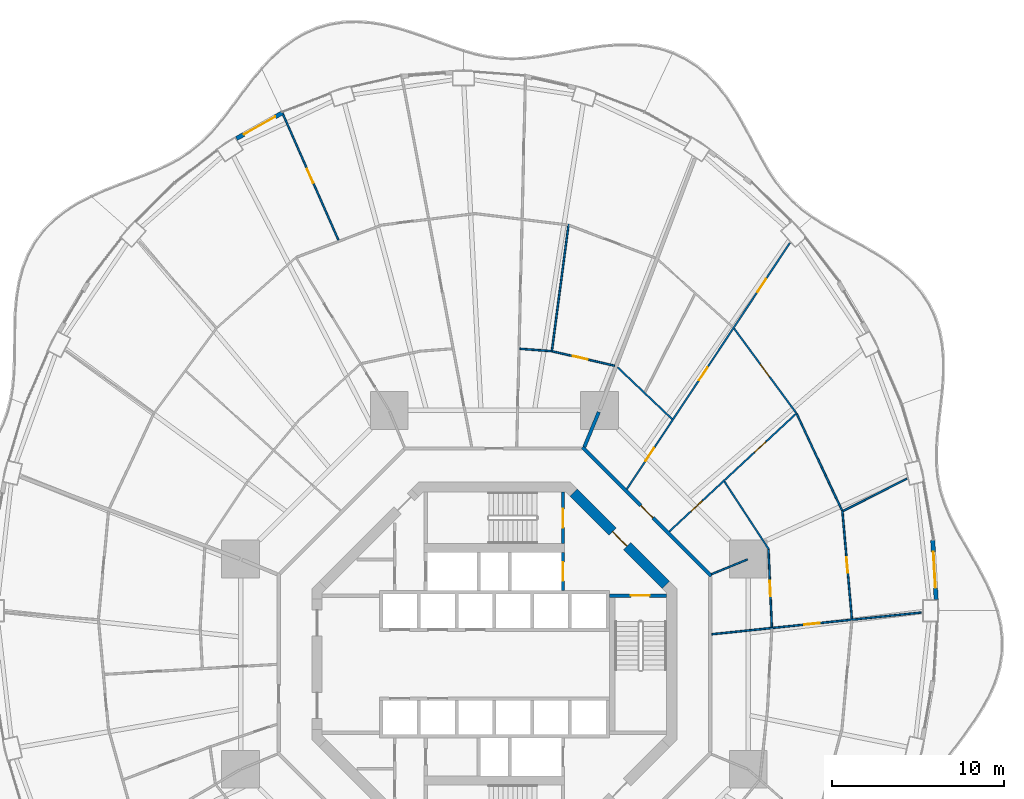
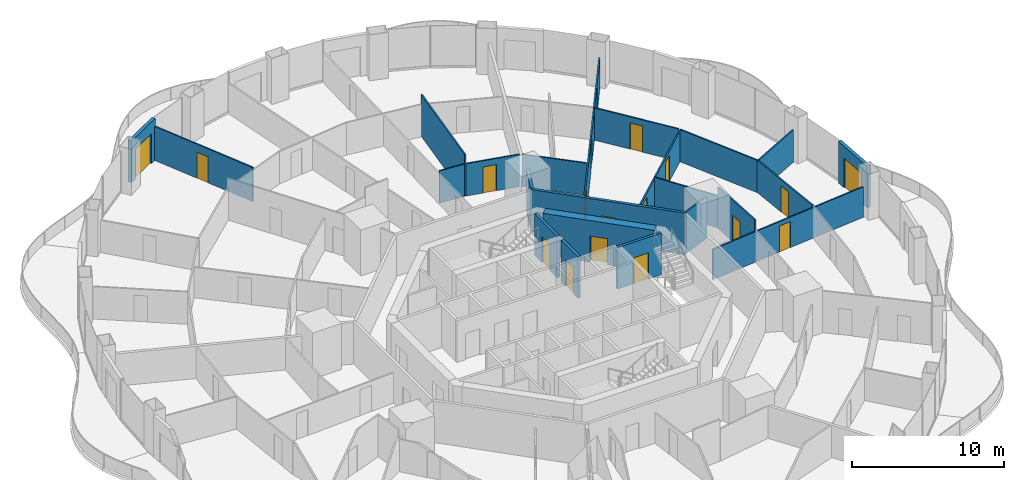
# One storey, part 19 of 23: 23 walls, 18 doors, 18 openings.
"""IFC4 building model written with IfcOpenShell, lengths in metres."""

from ifc_helpers import new_model, si_unit, direction, frame, frame_2d, origin, place, context, subcontext, project, spatial, rectangle, extrude, material, layer, layer_set, type_object, element, fill, save


model = new_model("IFC4")

# Units and contexts
model_context = context("Model", 3, precision=1e-05, world=origin(), true_north=direction((0.0, 1.0)))
body_context = subcontext(model_context, "Body", "Model", "MODEL_VIEW")
ifc_project = project(units=[si_unit("LENGTHUNIT", "METRE"), si_unit("AREAUNIT", "SQUARE_METRE"), si_unit("VOLUMEUNIT", "CUBIC_METRE"), si_unit("PLANEANGLEUNIT", "RADIAN"), si_unit("MASSUNIT", "GRAM", prefix="KILO")], contexts=[model_context])

# Site, building, storey
site_placement = place(None, origin())
site = spatial("IfcSite", under=ifc_project, at=site_placement, CompositionType="ELEMENT")
building_placement = place(site_placement, origin())
building = spatial("IfcBuilding", under=site, at=building_placement, Name="Nagisa Residences", CompositionType="ELEMENT")
storey_placement = place(building_placement, frame((0.0, 0.0, 110.300048828125)))
storey = spatial("IfcBuildingStorey", under=building, at=storey_placement, Name="L27", CompositionType="ELEMENT", Elevation=110.300048828125)

# Wall
ifc_material_1 = material(Name="Gypsum board on steel studs", Category="steel")
ifc_layer_1 = layer(ifc_material_1, 0.199951171875)
ifc_layer_set_1 = layer_set([ifc_layer_1], Name="Apartment compartment wall EI60 200")
wall_type_1 = type_object("IfcWallType", Name="Apartment compartment wall EI60 200", PredefinedType="PARTITIONING", material=ifc_layer_set_1)
wall_1_placement = place(storey_placement, frame((5.24267578125, 12.6572265625, 0.0), z_axis=(0.0, 0.0, 1.0), x_axis=(0.382724096228, 0.923862687939, 0.0)))
element("IfcWall", 1, at=wall_1_placement, inside=storey, type_object=wall_type_1, Name="wall:L27:u00", PredefinedType="PARTITIONING", context=body_context, shape_type="SweptSolid", body=[
    extrude(rectangle(XDim=2.20068359375, YDim=0.199951171875, at=frame_2d((1.100341796875, 0.0))), origin(), (0.0, 0.0, 1.0), 3.349853515625),
])

# Wall, opening, door
ifc_material_2 = material(Name="Gypsum board on steel studs", Category="steel")
ifc_layer_2 = layer(ifc_material_2, 0.199951171875)
ifc_layer_set_2 = layer_set([ifc_layer_2], Name="Apartment entry wall EI60 200")
wall_type_2 = type_object("IfcWallType", Name="Apartment entry wall EI60 200", PredefinedType="PARTITIONING", material=ifc_layer_set_2)
wall_2_placement = place(storey_placement, frame((12.635498046875, 5.1337890625, 0.0), z_axis=(0.0, 0.0, 1.0), x_axis=(-0.707106781187, 0.707106781187, 0.0)))
wall_2 = element("IfcWall", 2, at=wall_2_placement, inside=storey, type_object=wall_type_2, Name="wall:L27:u09", PredefinedType="PARTITIONING", context=body_context, shape_type="SweptSolid", body=[
    extrude(rectangle(XDim=10.609130859375, YDim=0.199951171875, at=frame_2d((5.3046875, 0.0))), origin(), (0.0, 0.0, 1.0), 3.349853515625),
])
opening_1_placement = place(wall_2_placement, frame((4.804443359375, 0.0, 0.0)))
opening_1 = element("IfcOpeningElement", 3, at=opening_1_placement, cuts=wall_2, Name="Opening L27-U08", PredefinedType="OPENING", context=body_context, shape_type="SweptSolid", body=[
    extrude(rectangle(XDim=1.0, YDim=2.10009765625, at=frame_2d((0.5, 1.050048828125))), frame((0.0, 0.10986328125, 0.0), z_axis=(0.0, -1.0, 0.0), x_axis=(1.0, 0.0, 0.0)), (0.0, 0.0, 1.0), 0.219970703125),
])
ifc_material_3 = material(Name="Timber fire door set", Category="wood")
door_type_1 = type_object("IfcDoorType", Name="Apartment entry door FD30S 1000x2100", OperationType="NOTDEFINED", PredefinedType="DOOR", material=ifc_material_3)
door_1_placement = place(opening_1_placement, frame((1.0, 0.0, 0.0), x_axis=(-1.0, 0.0, 0.0)))
door_1 = element("IfcDoor", 4, at=door_1_placement, inside=storey, type_object=door_type_1, Name="Entry door, Apartment 27B", OperationType="SINGLE_SWING_LEFT", OverallHeight=2.10009765625, OverallWidth=1.0, PredefinedType="DOOR", context=body_context, shape_type="SweptSolid", body=[
    extrude(rectangle(XDim=1.0, YDim=2.10009765625, at=frame_2d((0.5, 1.050048828125))), frame((0.0, 0.02490234375, 0.0), z_axis=(0.0, -1.0, 0.0), x_axis=(1.0, 0.0, 0.0)), (0.0, 0.0, 1.0), 0.050048828125),
])
fill(opening_1, door_1)

ifc_material_4 = material(Name="Gypsum board on steel studs", Category="steel")
ifc_layer_3 = layer(ifc_material_4, 0.10009765625)
ifc_layer_set_3 = layer_set([ifc_layer_3], Name="Apartment partition 100")
wall_type_3 = type_object("IfcWallType", Name="Apartment partition 100", PredefinedType="PARTITIONING", material=ifc_layer_set_3)
wall_3_placement = place(storey_placement, frame((12.664306640625, 1.7451171875, 0.0), z_axis=(0.0, 0.0, 1.0), x_axis=(0.994662790212, 0.103179134358, 0.0)))
wall_3 = element("IfcWall", 5, at=wall_3_placement, inside=storey, type_object=wall_type_3, Name="wall:L27:u16", PredefinedType="PARTITIONING", context=body_context, shape_type="SweptSolid", body=[
    extrude(rectangle(XDim=12.2568359375, YDim=0.10009765625, at=frame_2d((6.12841796875, 0.0))), origin(), (0.0, 0.0, 1.0), 2.447021484375),
])
opening_2_placement = place(wall_3_placement, frame((5.413818359375, 0.0, 0.0)))
opening_2 = element("IfcOpeningElement", 6, at=opening_2_placement, cuts=wall_3, Name="Opening L27-U17", PredefinedType="OPENING", context=body_context, shape_type="SweptSolid", body=[
    extrude(rectangle(XDim=0.89990234375, YDim=2.10009765625, at=frame_2d((0.449951171875, 1.050048828125))), frame((0.0, 0.06005859375, 0.0), z_axis=(0.0, -1.0, 0.0), x_axis=(1.0, 0.0, 0.0)), (0.0, 0.0, 1.0), 0.1201171875),
])
ifc_material_5 = material(Name="Timber door set", Category="wood")
door_type_2 = type_object("IfcDoorType", Name="Apartment door 900x2100", OperationType="NOTDEFINED", PredefinedType="DOOR", material=ifc_material_5)
door_2_placement = place(opening_2_placement, frame((0.89990234375, 0.0, 0.0), x_axis=(-1.0, 0.0, 0.0)))
door_2 = element("IfcDoor", 7, at=door_2_placement, inside=storey, type_object=door_type_2, Name="Door to family room, Apartment 27B", OperationType="SINGLE_SWING_RIGHT", OverallHeight=2.10009765625, OverallWidth=0.89990234375, PredefinedType="DOOR", context=body_context, shape_type="SweptSolid", body=[
    extrude(rectangle(XDim=0.89990234375, YDim=2.10009765625, at=frame_2d((0.449951171875, 1.050048828125))), frame((0.0, 0.02490234375, 0.0), z_axis=(0.0, -1.0, 0.0), x_axis=(1.0, 0.0, 0.0)), (0.0, 0.0, 1.0), 0.050048828125),
])
fill(opening_2, door_2)

wall_4_placement = place(storey_placement, frame((16.161865234375, 2.158203125, 0.0), z_axis=(0.0, 0.0, 1.0), x_axis=(-0.043120653248, 0.999069872063, 0.0)))
wall_4 = element("IfcWall", 8, at=wall_4_placement, inside=storey, type_object=wall_type_3, Name="wall:L27:u17", PredefinedType="PARTITIONING", context=body_context, shape_type="SweptSolid", body=[
    extrude(rectangle(XDim=4.51806640625, YDim=0.10009765625, at=frame_2d((2.259033203125, 0.0))), origin(), (0.0, 0.0, 1.0), 3.349853515625),
])
opening_3_placement = place(wall_4_placement, frame((1.80908203125, 0.0, 0.0)))
opening_3 = element("IfcOpeningElement", 9, at=opening_3_placement, cuts=wall_4, Name="Opening L27-U16", PredefinedType="OPENING", context=body_context, shape_type="SweptSolid", body=[
    extrude(rectangle(XDim=0.89990234375, YDim=2.10009765625, at=frame_2d((0.449951171875, 1.050048828125))), frame((0.0, 0.06005859375, 0.0), z_axis=(0.0, -1.0, 0.0), x_axis=(1.0, 0.0, 0.0)), (0.0, 0.0, 1.0), 0.1201171875),
])
door_3_placement = place(opening_3_placement, origin())
door_3 = element("IfcDoor", 10, at=door_3_placement, inside=storey, type_object=door_type_2, Name="Door to store, Apartment 27B", OperationType="SINGLE_SWING_RIGHT", OverallHeight=2.10009765625, OverallWidth=0.89990234375, PredefinedType="DOOR", context=body_context, shape_type="SweptSolid", body=[
    extrude(rectangle(XDim=0.89990234375, YDim=2.10009765625, at=frame_2d((0.449951171875, 1.050048828125))), frame((0.0, 0.02490234375, 0.0), z_axis=(0.0, -1.0, 0.0), x_axis=(1.0, 0.0, 0.0)), (0.0, 0.0, 1.0), 0.050048828125),
])
fill(opening_3, door_3)

wall_5_placement = place(storey_placement, frame((20.8251953125, 2.64208984375, 0.0), z_axis=(0.0, 0.0, 1.0), x_axis=(-0.08776338161, 0.996141349834, 0.0)))
wall_5 = element("IfcWall", 11, at=wall_5_placement, inside=storey, type_object=wall_type_3, Name="wall:L27:u19", PredefinedType="PARTITIONING", context=body_context, shape_type="SweptSolid", body=[
    extrude(rectangle(XDim=6.3369140625, YDim=0.10009765625, at=frame_2d((3.16845703125, 0.0))), origin(), (0.0, 0.0, 1.0), 2.596923828125),
])
opening_4_placement = place(wall_5_placement, frame((2.693603515625, 0.0, 0.0)))
opening_4 = element("IfcOpeningElement", 12, at=opening_4_placement, cuts=wall_5, Name="Opening L27-U13", PredefinedType="OPENING", context=body_context, shape_type="SweptSolid", body=[
    extrude(rectangle(XDim=0.89990234375, YDim=2.10009765625, at=frame_2d((0.449951171875, 1.050048828125))), frame((0.0, 0.06005859375, 0.0), z_axis=(0.0, -1.0, 0.0), x_axis=(1.0, 0.0, 0.0)), (0.0, 0.0, 1.0), 0.1201171875),
])
door_4_placement = place(opening_4_placement, frame((0.89990234375, 0.0, 0.0), x_axis=(-1.0, 0.0, 0.0)))
door_4 = element("IfcDoor", 13, at=door_4_placement, inside=storey, type_object=door_type_2, Name="Door to bedroom, Apartment 27B", OperationType="SINGLE_SWING_RIGHT", OverallHeight=2.10009765625, OverallWidth=0.89990234375, PredefinedType="DOOR", context=body_context, shape_type="SweptSolid", body=[
    extrude(rectangle(XDim=0.89990234375, YDim=2.10009765625, at=frame_2d((0.449951171875, 1.050048828125))), frame((0.0, 0.02490234375, 0.0), z_axis=(0.0, -1.0, 0.0), x_axis=(1.0, 0.0, 0.0)), (0.0, 0.0, 1.0), 0.050048828125),
])
fill(opening_4, door_4)

# Walls
wall_6_placement = place(storey_placement, frame((12.6572265625, 5.24267578125, 0.0), z_axis=(0.0, 0.0, 1.0), x_axis=(0.923864733477, 0.382719158442, 0.0)))
element("IfcWall", 14, at=wall_6_placement, inside=storey, type_object=wall_type_3, Name="wall:L27:u21", PredefinedType="PARTITIONING", context=body_context, shape_type="SweptSolid", body=[
    extrude(rectangle(XDim=2.25, YDim=0.10009765625, at=frame_2d((1.125, 0.0))), origin(), (0.0, 0.0, 1.0), 3.349853515625),
])
wall_7_placement = place(storey_placement, frame((15.9921875, 6.68017578125, 0.0), z_axis=(0.0, 0.0, 1.0), x_axis=(-0.547472878942, 0.836823426311, 0.0)))
element("IfcWall", 15, at=wall_7_placement, inside=storey, type_object=wall_type_3, Name="wall:L27:u22", PredefinedType="PARTITIONING", context=body_context, shape_type="SweptSolid", body=[
    extrude(rectangle(XDim=4.73779296875, YDim=0.10009765625, at=frame_2d((2.368896484375, 0.0))), origin(), (0.0, 0.0, 1.0), 2.596923828125),
])
wall_8_placement = place(storey_placement, frame((20.318115234375, 8.92724609375, 0.0), z_axis=(0.0, 0.0, 1.0), x_axis=(0.892057836959, 0.451921249246, 0.0)))
element("IfcWall", 16, at=wall_8_placement, inside=storey, type_object=wall_type_3, Name="wall:L27:u23", PredefinedType="PARTITIONING", context=body_context, shape_type="SweptSolid", body=[
    extrude(rectangle(XDim=4.1640625, YDim=0.10009765625, at=frame_2d((2.08203125, 0.0))), origin(), (0.0, 0.0, 1.0), 2.596923828125),
])
wall_9_placement = place(storey_placement, frame((20.252197265625, 8.949951171875, 0.0), z_axis=(0.0, 0.0, 1.0), x_axis=(-0.424580052627, 0.90539040138, 0.0)))
element("IfcWall", 17, at=wall_9_placement, inside=storey, type_object=wall_type_3, Name="wall:L27:u24", PredefinedType="PARTITIONING", context=body_context, shape_type="SweptSolid", body=[
    extrude(rectangle(XDim=6.204345703125, YDim=0.10009765625, at=frame_2d((3.10205078125, 0.0))), origin(), (0.0, 0.0, 1.0), 2.596923828125),
])

# Wall, openings, doors
wall_10_placement = place(storey_placement, frame((10.1845703125, 7.72607421875, 0.0), z_axis=(0.0, 0.0, 1.0), x_axis=(0.732598472978, 0.680661059112, 0.0)))
wall_10 = element("IfcWall", 18, at=wall_10_placement, inside=storey, type_object=wall_type_3, Name="wall:L27:u25", PredefinedType="PARTITIONING", context=body_context, shape_type="SweptSolid", body=[
    extrude(rectangle(XDim=10.16748046875, YDim=0.10009765625, at=frame_2d((5.083740234375, 0.0))), origin(), (0.0, 0.0, 1.0), 2.447021484375),
])
opening_5_placement = place(wall_10_placement, frame((1.724853515625, 0.0, 0.0)))
opening_5 = element("IfcOpeningElement", 19, at=opening_5_placement, cuts=wall_10, Name="Opening L27-U09", PredefinedType="OPENING", context=body_context, shape_type="SweptSolid", body=[
    extrude(rectangle(XDim=0.89990234375, YDim=2.10009765625, at=frame_2d((0.449951171875, 1.050048828125))), frame((0.0, 0.06005859375, 0.0), z_axis=(0.0, -1.0, 0.0), x_axis=(1.0, 0.0, 0.0)), (0.0, 0.0, 1.0), 0.1201171875),
])
opening_6_placement = place(wall_10_placement, frame((6.78369140625, 0.0, 0.0)))
opening_6 = element("IfcOpeningElement", 20, at=opening_6_placement, cuts=wall_10, Name="Opening L27-U11", PredefinedType="OPENING", context=body_context, shape_type="SweptSolid", body=[
    extrude(rectangle(XDim=0.89990234375, YDim=2.10009765625, at=frame_2d((0.449951171875, 1.050048828125))), frame((0.0, 0.06005859375, 0.0), z_axis=(0.0, -1.0, 0.0), x_axis=(1.0, 0.0, 0.0)), (0.0, 0.0, 1.0), 0.1201171875),
])
door_5_placement = place(opening_5_placement, frame((0.89990234375, 0.0, 0.0), x_axis=(-1.0, 0.0, 0.0)))
door_5 = element("IfcDoor", 21, at=door_5_placement, inside=storey, type_object=door_type_2, Name="Door to store, Apartment 27B", OperationType="SINGLE_SWING_RIGHT", OverallHeight=2.10009765625, OverallWidth=0.89990234375, PredefinedType="DOOR", context=body_context, shape_type="SweptSolid", body=[
    extrude(rectangle(XDim=0.89990234375, YDim=2.10009765625, at=frame_2d((0.449951171875, 1.050048828125))), frame((0.0, 0.02490234375, 0.0), z_axis=(0.0, -1.0, 0.0), x_axis=(1.0, 0.0, 0.0)), (0.0, 0.0, 1.0), 0.050048828125),
])
fill(opening_5, door_5)
door_6_placement = place(opening_6_placement, frame((0.89990234375, 0.0, 0.0), x_axis=(-1.0, 0.0, 0.0)))
door_6 = element("IfcDoor", 22, at=door_6_placement, inside=storey, type_object=door_type_2, Name="Door to dining room, Apartment 27B", OperationType="SINGLE_SWING_RIGHT", OverallHeight=2.10009765625, OverallWidth=0.89990234375, PredefinedType="DOOR", context=body_context, shape_type="SweptSolid", body=[
    extrude(rectangle(XDim=0.89990234375, YDim=2.10009765625, at=frame_2d((0.449951171875, 1.050048828125))), frame((0.0, 0.02490234375, 0.0), z_axis=(0.0, -1.0, 0.0), x_axis=(1.0, 0.0, 0.0)), (0.0, 0.0, 1.0), 0.050048828125),
])
fill(opening_6, door_6)

# Wall, opening, door
wall_11_placement = place(storey_placement, frame((17.567138671875, 14.65283203125, 0.0), z_axis=(0.0, 0.0, 1.0), x_axis=(-0.592391983588, 0.80564988536, 0.0)))
wall_11 = element("IfcWall", 23, at=wall_11_placement, inside=storey, type_object=wall_type_3, Name="wall:L27:u26", PredefinedType="PARTITIONING", context=body_context, shape_type="SweptSolid", body=[
    extrude(rectangle(XDim=6.080078125, YDim=0.10009765625, at=frame_2d((3.0400390625, 0.0))), origin(), (0.0, 0.0, 1.0), 2.596923828125),
])
opening_7_placement = place(wall_11_placement, frame((2.590087890625, 0.0, 0.0)))
opening_7 = element("IfcOpeningElement", 24, at=opening_7_placement, cuts=wall_11, Name="Opening L27-U14", PredefinedType="OPENING", context=body_context, shape_type="SweptSolid", body=[
    extrude(rectangle(XDim=0.89990234375, YDim=2.10009765625, at=frame_2d((0.449951171875, 1.050048828125))), frame((0.0, 0.06005859375, 0.0), z_axis=(0.0, -1.0, 0.0), x_axis=(1.0, 0.0, 0.0)), (0.0, 0.0, 1.0), 0.1201171875),
])
door_7_placement = place(opening_7_placement, frame((0.89990234375, 0.0, 0.0), x_axis=(-1.0, 0.0, 0.0)))
door_7 = element("IfcDoor", 25, at=door_7_placement, inside=storey, type_object=door_type_2, Name="Door to living room, Apartment 27B", OperationType="SINGLE_SWING_LEFT", OverallHeight=2.10009765625, OverallWidth=0.89990234375, PredefinedType="DOOR", context=body_context, shape_type="SweptSolid", body=[
    extrude(rectangle(XDim=0.89990234375, YDim=2.10009765625, at=frame_2d((0.449951171875, 1.050048828125))), frame((0.0, 0.02490234375, 0.0), z_axis=(0.0, -1.0, 0.0), x_axis=(1.0, 0.0, 0.0)), (0.0, 0.0, 1.0), 0.050048828125),
])
fill(opening_7, door_7)

# Wall, openings, doors
wall_12_placement = place(storey_placement, frame((7.713134765625, 10.19482421875, 0.0), z_axis=(0.0, 0.0, 1.0), x_axis=(0.552111071171, 0.833770571015, 0.0)))
wall_12 = element("IfcWall", 26, at=wall_12_placement, inside=storey, type_object=wall_type_3, Name="wall:L27:u27", PredefinedType="PARTITIONING", context=body_context, shape_type="SweptSolid", body=[
    extrude(rectangle(XDim=17.20849609375, YDim=0.10009765625, at=frame_2d((8.604248046875, 0.0))), origin(), (0.0, 0.0, 1.0), 2.447021484375),
])
opening_8_placement = place(wall_12_placement, frame((1.975830078125, 0.0, 0.0)))
opening_8 = element("IfcOpeningElement", 27, at=opening_8_placement, cuts=wall_12, Name="Opening L27-U10", PredefinedType="OPENING", context=body_context, shape_type="SweptSolid", body=[
    extrude(rectangle(XDim=0.89990234375, YDim=2.10009765625, at=frame_2d((0.449951171875, 1.050048828125))), frame((0.0, 0.06005859375, 0.0), z_axis=(0.0, -1.0, 0.0), x_axis=(1.0, 0.0, 0.0)), (0.0, 0.0, 1.0), 0.1201171875),
])
opening_9_placement = place(wall_12_placement, frame((7.611083984375, 0.0, 0.0)))
opening_9 = element("IfcOpeningElement", 28, at=opening_9_placement, cuts=wall_12, Name="Opening L27-U12", PredefinedType="OPENING", context=body_context, shape_type="SweptSolid", body=[
    extrude(rectangle(XDim=0.89990234375, YDim=2.10009765625, at=frame_2d((0.449951171875, 1.050048828125))), frame((0.0, 0.06005859375, 0.0), z_axis=(0.0, -1.0, 0.0), x_axis=(1.0, 0.0, 0.0)), (0.0, 0.0, 1.0), 0.1201171875),
])
opening_10_placement = place(wall_12_placement, frame((13.78955078125, 0.0, 0.0)))
opening_10 = element("IfcOpeningElement", 29, at=opening_10_placement, cuts=wall_12, Name="Opening L27-U15", PredefinedType="OPENING", context=body_context, shape_type="SweptSolid", body=[
    extrude(rectangle(XDim=0.89990234375, YDim=2.10009765625, at=frame_2d((0.449951171875, 1.050048828125))), frame((0.0, 0.06005859375, 0.0), z_axis=(0.0, -1.0, 0.0), x_axis=(1.0, 0.0, 0.0)), (0.0, 0.0, 1.0), 0.1201171875),
])
door_8_placement = place(opening_8_placement, origin())
door_8 = element("IfcDoor", 30, at=door_8_placement, inside=storey, type_object=door_type_2, Name="Door to store, Apartment 27B", OperationType="SINGLE_SWING_RIGHT", OverallHeight=2.10009765625, OverallWidth=0.89990234375, PredefinedType="DOOR", context=body_context, shape_type="SweptSolid", body=[
    extrude(rectangle(XDim=0.89990234375, YDim=2.10009765625, at=frame_2d((0.449951171875, 1.050048828125))), frame((0.0, 0.02490234375, 0.0), z_axis=(0.0, -1.0, 0.0), x_axis=(1.0, 0.0, 0.0)), (0.0, 0.0, 1.0), 0.050048828125),
])
fill(opening_8, door_8)
door_9_placement = place(opening_9_placement, origin())
door_9 = element("IfcDoor", 31, at=door_9_placement, inside=storey, type_object=door_type_2, Name="Door to family bathroom, Apartment 27B", OperationType="SINGLE_SWING_RIGHT", OverallHeight=2.10009765625, OverallWidth=0.89990234375, PredefinedType="DOOR", context=body_context, shape_type="SweptSolid", body=[
    extrude(rectangle(XDim=0.89990234375, YDim=2.10009765625, at=frame_2d((0.449951171875, 1.050048828125))), frame((0.0, 0.02490234375, 0.0), z_axis=(0.0, -1.0, 0.0), x_axis=(1.0, 0.0, 0.0)), (0.0, 0.0, 1.0), 0.050048828125),
])
fill(opening_9, door_9)
door_10_placement = place(opening_10_placement, origin())
door_10 = element("IfcDoor", 32, at=door_10_placement, inside=storey, type_object=door_type_2, Name="Door to master bedroom, Apartment 27B", OperationType="SINGLE_SWING_LEFT", OverallHeight=2.10009765625, OverallWidth=0.89990234375, PredefinedType="DOOR", context=body_context, shape_type="SweptSolid", body=[
    extrude(rectangle(XDim=0.89990234375, YDim=2.10009765625, at=frame_2d((0.449951171875, 1.050048828125))), frame((0.0, 0.02490234375, 0.0), z_axis=(0.0, -1.0, 0.0), x_axis=(1.0, 0.0, 0.0)), (0.0, 0.0, 1.0), 0.050048828125),
])
fill(opening_10, door_10)

# Wall
wall_13_placement = place(storey_placement, frame((10.35546875, 14.274169921875, 0.0), z_axis=(0.0, 0.0, 1.0), x_axis=(-0.725206433622, 0.688531501555, 0.0)))
element("IfcWall", 33, at=wall_13_placement, inside=storey, type_object=wall_type_3, Name="wall:L27:u28", PredefinedType="PARTITIONING", context=body_context, shape_type="SweptSolid", body=[
    extrude(rectangle(XDim=4.386962890625, YDim=0.10009765625, at=frame_2d((2.193359375, 0.0))), origin(), (0.0, 0.0, 1.0), 2.596923828125),
])

# Wall, opening, door
wall_14_placement = place(storey_placement, frame((7.004150390625, 17.385986328125, 0.0), z_axis=(0.0, 0.0, 1.0), x_axis=(-0.974172890163, 0.22580341023, 0.0)))
wall_14 = element("IfcWall", 34, at=wall_14_placement, inside=storey, type_object=wall_type_3, Name="wall:L27:u31", PredefinedType="PARTITIONING", context=body_context, shape_type="SweptSolid", body=[
    extrude(rectangle(XDim=3.7021484375, YDim=0.10009765625, at=frame_2d((1.85107421875, 0.0))), origin(), (0.0, 0.0, 1.0), 2.596923828125),
])
opening_11_placement = place(wall_14_placement, frame((1.611083984375, 0.0, 0.0)))
opening_11 = element("IfcOpeningElement", 35, at=opening_11_placement, cuts=wall_14, Name="Opening L27-U30", PredefinedType="OPENING", context=body_context, shape_type="SweptSolid", body=[
    extrude(rectangle(XDim=0.89990234375, YDim=2.10009765625, at=frame_2d((0.449951171875, 1.050048828125))), frame((0.0, 0.06005859375, 0.0), z_axis=(0.0, -1.0, 0.0), x_axis=(1.0, 0.0, 0.0)), (0.0, 0.0, 1.0), 0.1201171875),
])
door_11_placement = place(opening_11_placement, frame((0.89990234375, 0.0, 0.0), x_axis=(-1.0, 0.0, 0.0)))
door_11 = element("IfcDoor", 36, at=door_11_placement, inside=storey, type_object=door_type_2, Name="Door to kitchen, Apartment 27C", OperationType="SINGLE_SWING_LEFT", OverallHeight=2.10009765625, OverallWidth=0.89990234375, PredefinedType="DOOR", context=body_context, shape_type="SweptSolid", body=[
    extrude(rectangle(XDim=0.89990234375, YDim=2.10009765625, at=frame_2d((0.449951171875, 1.050048828125))), frame((0.0, 0.02490234375, 0.0), z_axis=(0.0, -1.0, 0.0), x_axis=(1.0, 0.0, 0.0)), (0.0, 0.0, 1.0), 0.050048828125),
])
fill(opening_11, door_11)

# Walls
wall_15_placement = place(storey_placement, frame((3.342529296875, 18.18359375, 0.0), z_axis=(0.0, 0.0, 1.0), x_axis=(0.130596603503, 0.991435589009, 0.0)))
element("IfcWall", 37, at=wall_15_placement, inside=storey, type_object=wall_type_3, Name="wall:L27:u33", PredefinedType="PARTITIONING", context=body_context, shape_type="SweptSolid", body=[
    extrude(rectangle(XDim=7.51123046875, YDim=0.10009765625, at=frame_2d((3.755615234375, 0.0))), origin(), (0.0, 0.0, 1.0), 3.349853515625),
])
wall_16_placement = place(storey_placement, frame((3.299072265625, 18.23681640625, 0.0), z_axis=(0.0, 0.0, 1.0), x_axis=(-0.997152920483, 0.075405922664, 0.0)))
element("IfcWall", 38, at=wall_16_placement, inside=storey, type_object=wall_type_3, Name="wall:L27:u34", PredefinedType="PARTITIONING", context=body_context, shape_type="SweptSolid", body=[
    extrude(rectangle(XDim=1.82275390625, YDim=0.10009765625, at=frame_2d((0.911376953125, 0.0))), origin(), (0.0, 0.0, 1.0), 2.596923828125),
])

# Wall, opening, door
wall_17_placement = place(storey_placement, frame((-9.071533203125, 24.682861328125, 0.0), z_axis=(0.0, 0.0, 1.0), x_axis=(-0.403192911159, 0.915115007194, 0.0)))
wall_17 = element("IfcWall", 39, at=wall_17_placement, inside=storey, type_object=wall_type_3, Name="wall:L27:u42", PredefinedType="PARTITIONING", context=body_context, shape_type="SweptSolid", body=[
    extrude(rectangle(XDim=8.21142578125, YDim=0.10009765625, at=frame_2d((4.105712890625, 0.0))), origin(), (0.0, 0.0, 1.0), 2.738037109375),
])
opening_12_placement = place(wall_17_placement, frame((3.65576171875, 0.0, 0.0)))
opening_12 = element("IfcOpeningElement", 40, at=opening_12_placement, cuts=wall_17, Name="Opening L27-U38", PredefinedType="OPENING", context=body_context, shape_type="SweptSolid", body=[
    extrude(rectangle(XDim=0.89990234375, YDim=2.10009765625, at=frame_2d((0.449951171875, 1.050048828125))), frame((0.0, 0.06005859375, 0.0), z_axis=(0.0, -1.0, 0.0), x_axis=(1.0, 0.0, 0.0)), (0.0, 0.0, 1.0), 0.1201171875),
])
door_12_placement = place(opening_12_placement, origin())
door_12 = element("IfcDoor", 41, at=door_12_placement, inside=storey, type_object=door_type_2, Name="Door to living room, Apartment 27C", OperationType="SINGLE_SWING_RIGHT", OverallHeight=2.10009765625, OverallWidth=0.89990234375, PredefinedType="DOOR", context=body_context, shape_type="SweptSolid", body=[
    extrude(rectangle(XDim=0.89990234375, YDim=2.10009765625, at=frame_2d((0.449951171875, 1.050048828125))), frame((0.0, 0.02490234375, 0.0), z_axis=(0.0, -1.0, 0.0), x_axis=(1.0, 0.0, 0.0)), (0.0, 0.0, 1.0), 0.050048828125),
])
fill(opening_12, door_12)

ifc_material_6 = material(Name="Precast concrete C40/50", Category="concrete")
ifc_layer_4 = layer(ifc_material_6, 0.25)
ifc_layer_set_4 = layer_set([ifc_layer_4], Name="BALCONY DOOR WALL 250")
wall_type_4 = type_object("IfcWallType", Name="BALCONY DOOR WALL 250", PredefinedType="SOLIDWALL", material=ifc_layer_set_4)
wall_18_placement = place(storey_placement, frame((25.533203125, 7.22412109375, 0.0), z_axis=(0.0, 0.0, 1.0), x_axis=(0.057546644052, -0.998342818754, 0.0)))
wall_18 = element("IfcWall", 42, at=wall_18_placement, inside=storey, type_object=wall_type_4, Name="wall:L27:bay00", PredefinedType="SOLIDWALL", context=body_context, shape_type="SweptSolid", body=[
    extrude(rectangle(XDim=3.470458984375, YDim=0.25, at=frame_2d((1.7353515625, 0.0))), origin(), (0.0, 0.0, 1.0), 3.349853515625),
])
opening_13_placement = place(wall_18_placement, frame((0.68505859375, 0.0, 0.0)))
opening_13 = element("IfcOpeningElement", 43, at=opening_13_placement, cuts=wall_18, Name="Opening BD-L27-01", PredefinedType="OPENING", context=body_context, shape_type="SweptSolid", body=[
    extrude(rectangle(XDim=2.10009765625, YDim=2.39990234375, at=frame_2d((1.050048828125, 1.199951171875))), frame((0.0, 0.135009765625, 0.0), z_axis=(0.0, -1.0, 0.0), x_axis=(1.0, 0.0, 0.0)), (0.0, 0.0, 1.0), 0.27001953125),
])
ifc_material_7 = material(Name="Aluminium and clear glass", Category="aluminium")
door_type_3 = type_object("IfcDoorType", Name="BALCONY SLIDING DOOR 2100x2400", OperationType="SLIDING_TO_LEFT", PredefinedType="DOOR", material=ifc_material_7)
door_13_placement = place(opening_13_placement, origin())
door_13 = element("IfcDoor", 44, at=door_13_placement, inside=storey, type_object=door_type_3, Name="door:L27:bay00", OperationType="SLIDING_TO_LEFT", OverallHeight=2.39990234375, OverallWidth=2.10009765625, PredefinedType="DOOR", context=body_context, shape_type="SweptSolid", body=[
    extrude(rectangle(XDim=2.10009765625, YDim=2.39990234375, at=frame_2d((1.050048828125, 1.199951171875))), frame((0.0, 0.02490234375, 0.0), z_axis=(0.0, -1.0, 0.0), x_axis=(1.0, 0.0, 0.0)), (0.0, 0.0, 1.0), 0.050048828125),
])
fill(opening_13, door_13)

wall_19_placement = place(storey_placement, frame((-15.01953125, 30.61962890625, 0.0), z_axis=(0.0, 0.0, 1.0), x_axis=(0.872090167423, 0.489345215451, 0.0)))
wall_19 = element("IfcWall", 45, at=wall_19_placement, inside=storey, type_object=wall_type_4, Name="wall:L27:bay15", PredefinedType="SOLIDWALL", context=body_context, shape_type="SweptSolid", body=[
    extrude(rectangle(XDim=3.07568359375, YDim=0.25, at=frame_2d((1.537841796875, 0.0))), origin(), (0.0, 0.0, 1.0), 3.349853515625),
])
opening_14_placement = place(wall_19_placement, frame((0.48779296875, 0.0, 0.0)))
opening_14 = element("IfcOpeningElement", 46, at=opening_14_placement, cuts=wall_19, Name="Opening BD-L27-06", PredefinedType="OPENING", context=body_context, shape_type="SweptSolid", body=[
    extrude(rectangle(XDim=2.10009765625, YDim=2.39990234375, at=frame_2d((1.050048828125, 1.199951171875))), frame((0.0, 0.135009765625, 0.0), z_axis=(0.0, -1.0, 0.0), x_axis=(1.0, 0.0, 0.0)), (0.0, 0.0, 1.0), 0.27001953125),
])
door_14_placement = place(opening_14_placement, origin())
door_14 = element("IfcDoor", 47, at=door_14_placement, inside=storey, type_object=door_type_3, Name="door:L27:bay15", OperationType="SLIDING_TO_LEFT", OverallHeight=2.39990234375, OverallWidth=2.10009765625, PredefinedType="DOOR", context=body_context, shape_type="SweptSolid", body=[
    extrude(rectangle(XDim=2.10009765625, YDim=2.39990234375, at=frame_2d((1.050048828125, 1.199951171875))), frame((0.0, 0.02490234375, 0.0), z_axis=(0.0, -1.0, 0.0), x_axis=(1.0, 0.0, 0.0)), (0.0, 0.0, 1.0), 0.050048828125),
])
fill(opening_14, door_14)

ifc_material_8 = material(Name="Concrete C60", Category="concrete")
ifc_layer_5 = layer(ifc_material_8, 0.60009765625)
ifc_layer_set_5 = layer_set([ifc_layer_5], Name="Core shear wall 600")
wall_type_5 = type_object("IfcWallType", Name="Core shear wall 600", PredefinedType="SHEAR", material=ifc_layer_set_5)
wall_20_placement = place(storey_placement, frame((9.98828125, 4.613037109375, 0.0), z_axis=(0.0, 0.0, 1.0), x_axis=(-0.707106781187, 0.707106781187, 0.0)))
wall_20 = element("IfcWall", 48, at=wall_20_placement, inside=storey, type_object=wall_type_5, Name="wall:L27:core:flat1", PredefinedType="SHEAR", context=body_context, shape_type="SweptSolid", body=[
    extrude(rectangle(XDim=7.601806640625, YDim=0.60009765625, at=frame_2d((3.80078125, 0.0))), origin(), (0.0, 0.0, 1.0), 3.349853515625),
])
opening_15_placement = place(wall_20_placement, frame((3.200927734375, 0.0, 0.0)))
opening_15 = element("IfcOpeningElement", 49, at=opening_15_placement, cuts=wall_20, Name="Opening L27-C17", PredefinedType="OPENING", context=body_context, shape_type="SweptSolid", body=[
    extrude(rectangle(XDim=1.199951171875, YDim=2.10009765625, at=frame_2d((0.60009765625, 1.050048828125))), frame((0.0, 0.31005859375, 0.0), z_axis=(0.0, -1.0, 0.0), x_axis=(1.0, 0.0, 0.0)), (0.0, 0.0, 1.0), 0.6201171875),
])
ifc_material_9 = material(Name="Steel fire door", Category="steel")
door_type_4 = type_object("IfcDoorType", Name="Fire door EI60 1200x2100 single swing", OperationType="NOTDEFINED", PredefinedType="DOOR", material=ifc_material_9)
door_15_placement = place(opening_15_placement, origin())
door_15 = element("IfcDoor", 50, at=door_15_placement, inside=storey, type_object=door_type_4, Name="Firefighting lobby 1 door L27", OperationType="SINGLE_SWING_RIGHT", OverallHeight=2.10009765625, OverallWidth=1.199951171875, PredefinedType="DOOR", context=body_context, shape_type="SweptSolid", body=[
    extrude(rectangle(XDim=1.199951171875, YDim=2.10009765625, at=frame_2d((0.60009765625, 1.050048828125))), frame((0.0, 0.02490234375, 0.0), z_axis=(0.0, -1.0, 0.0), x_axis=(1.0, 0.0, 0.0)), (0.0, 0.0, 1.0), 0.050048828125),
])
fill(opening_15, door_15)

ifc_material_10 = material(Name="Concrete C60", Category="concrete")
ifc_layer_6 = layer(ifc_material_10, 0.199951171875)
ifc_layer_set_6 = layer_set([ifc_layer_6], Name="Lift shaft wall 200")
wall_type_6 = type_object("IfcWallType", Name="Lift shaft wall 200", PredefinedType="SOLIDWALL", material=ifc_layer_set_6)
wall_21_placement = place(storey_placement, frame((4.0, 4.300048828125, 0.0), z_axis=(0.0, 0.0, 1.0), x_axis=(0.0, 1.0, 0.0)))
wall_21 = element("IfcWall", 51, at=wall_21_placement, inside=storey, type_object=wall_type_6, Name="wall:L27:Nb3", PredefinedType="SOLIDWALL", context=body_context, shape_type="SweptSolid", body=[
    extrude(rectangle(XDim=2.199951171875, YDim=0.199951171875, at=frame_2d((1.10009765625, 0.0))), origin(), (0.0, 0.0, 1.0), 3.349853515625),
])
opening_16_placement = place(wall_21_placement, frame((0.550048828125, 0.0, 0.0)))
opening_16 = element("IfcOpeningElement", 52, at=opening_16_placement, cuts=wall_21, Name="Opening L27-C06", PredefinedType="OPENING", context=body_context, shape_type="SweptSolid", body=[
    extrude(rectangle(XDim=1.10009765625, YDim=2.10009765625, at=frame_2d((0.550048828125, 1.050048828125))), frame((0.0, 0.10986328125, 0.0), z_axis=(0.0, -1.0, 0.0), x_axis=(1.0, 0.0, 0.0)), (0.0, 0.0, 1.0), 0.219970703125),
])
ifc_material_11 = material(Name="Stainless steel", Category="steel")
door_type_5 = type_object("IfcDoorType", Name="Lift landing door 1100x2100", OperationType="DOUBLE_DOOR_SLIDING", PredefinedType="DOOR", material=ifc_material_11)
door_16_placement = place(opening_16_placement, origin())
door_16 = element("IfcDoor", 53, at=door_16_placement, inside=storey, type_object=door_type_5, Name="Landing door FL1 L27", OperationType="DOUBLE_DOOR_SLIDING", OverallHeight=2.10009765625, OverallWidth=1.10009765625, PredefinedType="DOOR", context=body_context, shape_type="SweptSolid", body=[
    extrude(rectangle(XDim=1.10009765625, YDim=2.10009765625, at=frame_2d((0.550048828125, 1.050048828125))), frame((0.0, 0.02490234375, 0.0), z_axis=(0.0, -1.0, 0.0), x_axis=(1.0, 0.0, 0.0)), (0.0, 0.0, 1.0), 0.050048828125),
])
fill(opening_16, door_16)

ifc_material_12 = material(Name="Concrete C60", Category="concrete")
ifc_layer_7 = layer(ifc_material_12, 0.199951171875)
ifc_layer_set_7 = layer_set([ifc_layer_7], Name="Stair enclosure wall 200")
wall_type_7 = type_object("IfcWallType", Name="Stair enclosure wall 200", PredefinedType="SOLIDWALL", material=ifc_layer_set_7)
wall_22_placement = place(storey_placement, frame((6.699951171875, 4.0, 0.0), z_axis=(0.0, 0.0, 1.0), x_axis=(1.0, 0.0, 0.0)))
wall_22 = element("IfcWall", 54, at=wall_22_placement, inside=storey, type_object=wall_type_7, Name="wall:L27:SE_n", PredefinedType="SOLIDWALL", context=body_context, shape_type="SweptSolid", body=[
    extrude(rectangle(XDim=3.32470703125, YDim=0.199951171875, at=frame_2d((1.662353515625, 0.0))), origin(), (0.0, 0.0, 1.0), 3.349853515625),
])
opening_17_placement = place(wall_22_placement, frame((1.25, 0.0, 0.0)))
opening_17 = element("IfcOpeningElement", 55, at=opening_17_placement, cuts=wall_22, Name="Opening L27-C09", PredefinedType="OPENING", context=body_context, shape_type="SweptSolid", body=[
    extrude(rectangle(XDim=1.10009765625, YDim=2.10009765625, at=frame_2d((0.550048828125, 1.050048828125))), frame((0.0, 0.10986328125, 0.0), z_axis=(0.0, -1.0, 0.0), x_axis=(1.0, 0.0, 0.0)), (0.0, 0.0, 1.0), 0.219970703125),
])
ifc_material_13 = material(Name="Steel fire door", Category="steel")
door_type_6 = type_object("IfcDoorType", Name="Fire door EI90 1100x2100 single swing", OperationType="NOTDEFINED", PredefinedType="DOOR", material=ifc_material_13)
door_17_placement = place(opening_17_placement, frame((1.10009765625, 0.0, 0.0), x_axis=(-1.0, 0.0, 0.0)))
door_17 = element("IfcDoor", 56, at=door_17_placement, inside=storey, type_object=door_type_6, Name="Stair door ST-E L27", OperationType="SINGLE_SWING_LEFT", OverallHeight=2.10009765625, OverallWidth=1.10009765625, PredefinedType="DOOR", context=body_context, shape_type="SweptSolid", body=[
    extrude(rectangle(XDim=1.10009765625, YDim=2.10009765625, at=frame_2d((0.550048828125, 1.050048828125))), frame((0.0, 0.02490234375, 0.0), z_axis=(0.0, -1.0, 0.0), x_axis=(1.0, 0.0, 0.0)), (0.0, 0.0, 1.0), 0.050048828125),
])
fill(opening_17, door_17)

wall_23_placement = place(storey_placement, frame((4.0, 7.024658203125, 0.0), z_axis=(0.0, 0.0, 1.0), x_axis=(0.0, 1.0, 0.0)))
wall_23 = element("IfcWall", 57, at=wall_23_placement, inside=storey, type_object=wall_type_7, Name="wall:L27:SN_e", PredefinedType="SOLIDWALL", context=body_context, shape_type="SweptSolid", body=[
    extrude(rectangle(XDim=3.0, YDim=0.199951171875, at=frame_2d((1.5, 0.0))), origin(), (0.0, 0.0, 1.0), 3.349853515625),
])
opening_18_placement = place(wall_23_placement, frame((0.92529296875, 0.0, 0.0)))
opening_18 = element("IfcOpeningElement", 58, at=opening_18_placement, cuts=wall_23, Name="Opening L27-C10", PredefinedType="OPENING", context=body_context, shape_type="SweptSolid", body=[
    extrude(rectangle(XDim=1.10009765625, YDim=2.10009765625, at=frame_2d((0.550048828125, 1.050048828125))), frame((0.0, 0.10986328125, 0.0), z_axis=(0.0, -1.0, 0.0), x_axis=(1.0, 0.0, 0.0)), (0.0, 0.0, 1.0), 0.219970703125),
])
door_18_placement = place(opening_18_placement, origin())
door_18 = element("IfcDoor", 59, at=door_18_placement, inside=storey, type_object=door_type_6, Name="Stair door ST-N L27", OperationType="SINGLE_SWING_RIGHT", OverallHeight=2.10009765625, OverallWidth=1.10009765625, PredefinedType="DOOR", context=body_context, shape_type="SweptSolid", body=[
    extrude(rectangle(XDim=1.10009765625, YDim=2.10009765625, at=frame_2d((0.550048828125, 1.050048828125))), frame((0.0, 0.02490234375, 0.0), z_axis=(0.0, -1.0, 0.0), x_axis=(1.0, 0.0, 0.0)), (0.0, 0.0, 1.0), 0.050048828125),
])
fill(opening_18, door_18)

save(model, "model.ifc")
